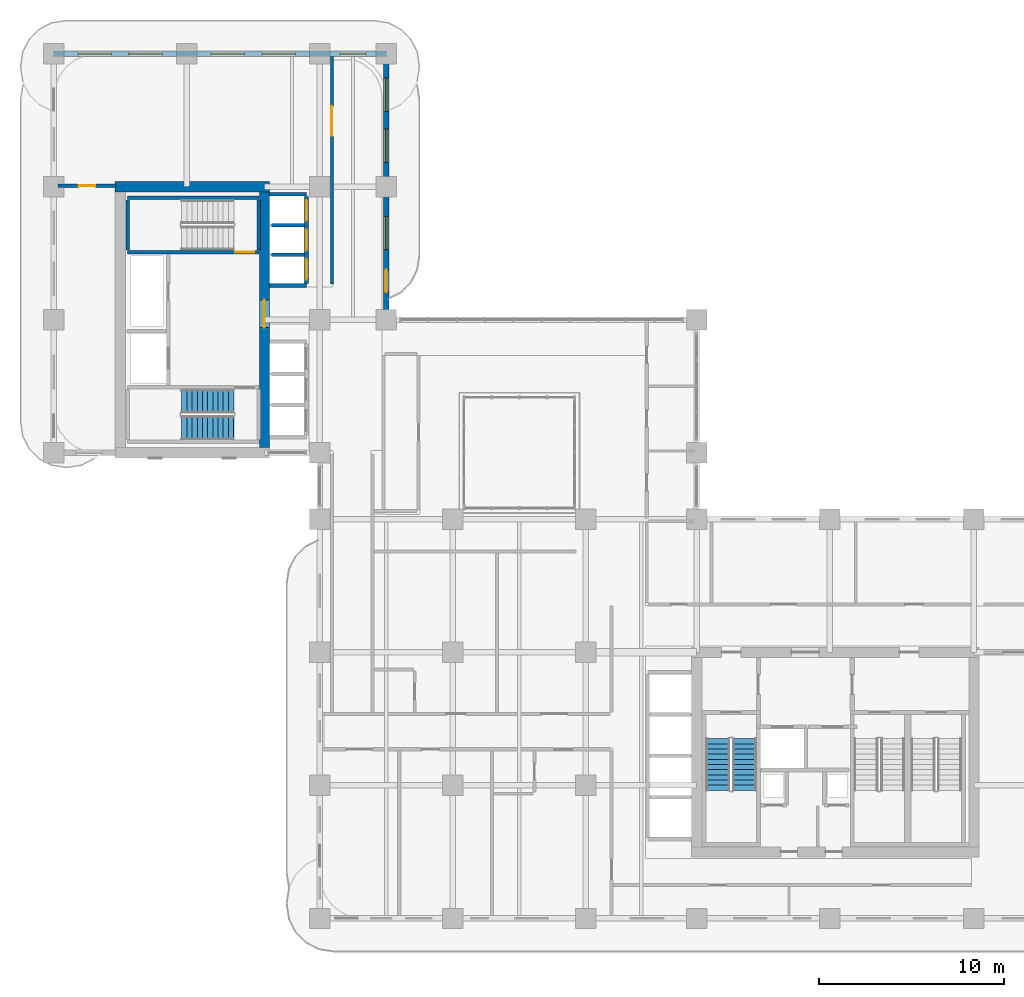
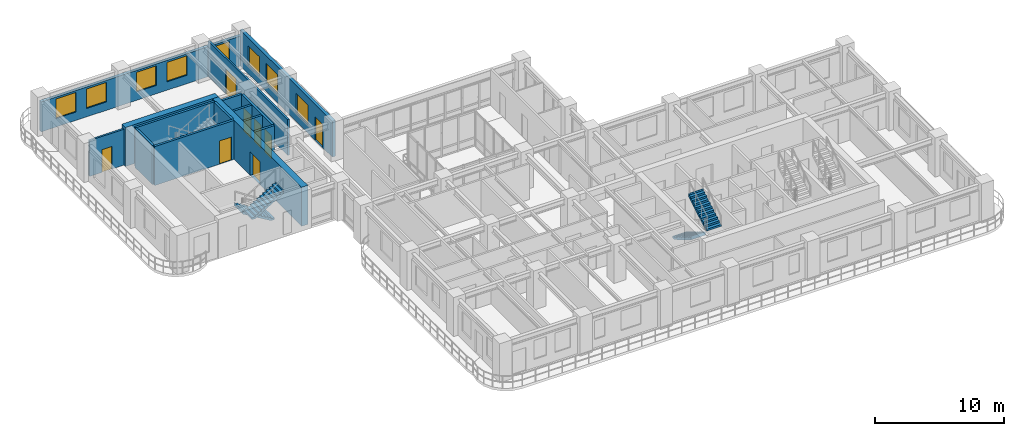
# One storey, part 13 of 19: 15 walls, 8 doors, 8 windows, 4 stair flights, 16 openings, 2 elements without a shape of their own.
"""IFC4 building model written with IfcOpenShell, lengths in metres."""

import ifcopenshell
import ifcopenshell.guid

model = None  # the IFC model being written
_history = None  # IfcOwnerHistory: only IFC2X3 demands one
_inside = {}  # id of a spatial element -> (the spatial element, [elements in it])
_under = {}  # id of a project, library or spatial element -> (it, [spatial elements below it])
_declared = {}  # id of a project -> (the project, [libraries it declares])
_typed = {}  # id of a type object -> (the type object, [elements of that type])
_made_of = {}  # id of a material, layer set ... -> (it, [elements and type objects made of it])


def new_model(schema):
    """Start an empty IFC model of exactly this schema.

    Asked for "IFC4X3", IfcOpenShell would pick the latest addendum, in which some entities
    have other attributes; the version numbers below select the first issue.
    IFC2X3 requires an IfcOwnerHistory on every rooted entity: one is made here for all.
    """
    global model, _history
    if schema == "IFC4X3":
        model = ifcopenshell.file(schema_version=(4, 3, 0, 0))
    else:
        model = ifcopenshell.file(schema=schema)
    _inside.clear()
    _under.clear()
    _declared.clear()
    _typed.clear()
    _made_of.clear()
    _history = None
    if model.schema == "IFC2X3":
        org = make("IfcOrganization", Name="unknown")
        user = make(
            "IfcPersonAndOrganization",
            ThePerson=make("IfcPerson", FamilyName="unknown"),
            TheOrganization=org,
        )
        app = make(
            "IfcApplication",
            ApplicationDeveloper=org,
            Version="unknown",
            ApplicationFullName="unknown",
            ApplicationIdentifier="unknown",
        )
        _history = make(
            "IfcOwnerHistory",
            OwningUser=user,
            OwningApplication=app,
            ChangeAction="ADDED",
            CreationDate=0,
        )
    return model


def make(cls, **values):
    """One entity of the class cls with the attributes given. An attribute that is None is left unset."""
    return model.create_entity(
        cls, **{name: value for name, value in values.items() if value is not None}
    )


def rooted(cls, **values):
    """An entity with a GlobalId (a new one), such as an element, a storey or a relation."""
    return make(cls, GlobalId=ifcopenshell.guid.new(), OwnerHistory=_history, **values)


def si_unit(unit_type, name, prefix=None):
    """IfcSIUnit, for example si_unit("LENGTHUNIT", "METRE", prefix="MILLI")."""
    return make("IfcSIUnit", UnitType=unit_type, Prefix=prefix, Name=name)


def derived_unit(unit_type, elements):
    """IfcDerivedUnit: a product of units, each with its exponent."""
    return make(
        "IfcDerivedUnit",
        Elements=[
            make("IfcDerivedUnitElement", Unit=unit, Exponent=power)
            for unit, power in elements
        ],
        UnitType=unit_type,
    )


def assignment(units):
    """IfcUnitAssignment: the units of a project."""
    return None if units is None else make("IfcUnitAssignment", Units=units)


def point(xyz):
    """IfcCartesianPoint."""
    return None if xyz is None else make("IfcCartesianPoint", Coordinates=xyz)


def direction(xyz):
    """IfcDirection."""
    return None if xyz is None else make("IfcDirection", DirectionRatios=xyz)


def frame(location, z_axis=None, x_axis=None):
    """IfcAxis2Placement3D, a coordinate frame: its origin and axes. An axis left out is left unset."""
    return make(
        "IfcAxis2Placement3D",
        Location=point(location),
        Axis=direction(z_axis),
        RefDirection=direction(x_axis),
    )


def frame_2d(location, x_axis=None):
    """IfcAxis2Placement2D, a coordinate frame in the plane: its origin and x axis."""
    return make(
        "IfcAxis2Placement2D", Location=point(location), RefDirection=direction(x_axis)
    )


def origin():
    """The frame at (0, 0, 0) with its axes left unset."""
    return frame((0.0, 0.0, 0.0))


def place(relative_to, where):
    """IfcLocalPlacement: puts the frame where relative to a parent placement (None: the world)."""
    return make(
        "IfcLocalPlacement", PlacementRelTo=relative_to, RelativePlacement=where
    )


def context(
    kind, dimensions, precision=None, world=None, true_north=None, identifier=None
):
    """IfcGeometricRepresentationContext, for example the 3D "Model" context."""
    return make(
        "IfcGeometricRepresentationContext",
        ContextIdentifier=identifier,
        ContextType=kind,
        CoordinateSpaceDimension=dimensions,
        Precision=precision,
        WorldCoordinateSystem=world,
        TrueNorth=true_north,
    )


def subcontext(parent, identifier, kind, view, scale=None):
    """IfcGeometricRepresentationSubContext, for example "Body" below "Model"."""
    return make(
        "IfcGeometricRepresentationSubContext",
        ContextIdentifier=identifier,
        ContextType=kind,
        ParentContext=parent,
        TargetScale=scale,
        TargetView=view,
    )


def project(units=None, contexts=None):
    """IfcProject with its units and contexts."""
    return rooted(
        "IfcProject",
        Name="project",
        RepresentationContexts=contexts,
        UnitsInContext=assignment(units),
    )


def spatial(cls, under=None, at=None, **own):
    """A site, building, storey or space (cls), placed at a placement, below another one or the project."""
    s = rooted(cls, ObjectPlacement=at, **own)
    if under is not None:
        _under.setdefault(under.id(), (under, []))[1].append(s)
    return s


def polyline(points):
    """IfcPolyline through the points."""
    return make("IfcPolyline", Points=[point(p) for p in points])


def profile(cls, at=None, kind="AREA", **sizes):
    """A parametric profile (cls). Its sizes go by their IFC names, for example OverallWidth=200.0."""
    return make(cls, ProfileType=kind, Position=at, **sizes)


def rectangle(**sizes):
    """IfcRectangleProfileDef."""
    return profile("IfcRectangleProfileDef", **sizes)


def outline(outer, holes=None, kind="AREA"):
    """IfcArbitraryClosedProfileDef: a profile drawn as a closed curve; with holes, ...WithVoids."""
    if holes is None:
        return make("IfcArbitraryClosedProfileDef", ProfileType=kind, OuterCurve=outer)
    return make(
        "IfcArbitraryProfileDefWithVoids",
        ProfileType=kind,
        OuterCurve=outer,
        InnerCurves=holes,
    )


def extrude(swept, where, along, depth):
    """IfcExtrudedAreaSolid: the profile swept, set in the frame where, extruded along a direction by depth."""
    return make(
        "IfcExtrudedAreaSolid",
        SweptArea=swept,
        Position=where,
        ExtrudedDirection=direction(along),
        Depth=depth,
    )


def shape(context_of_items, identifier, shape_type, items):
    """IfcShapeRepresentation: the items that make up one representation, for example the "Body"."""
    return make(
        "IfcShapeRepresentation",
        ContextOfItems=context_of_items,
        RepresentationIdentifier=identifier,
        RepresentationType=shape_type,
        Items=items,
    )


def source(mapping_origin, context_of_items, identifier, shape_type, items):
    """IfcRepresentationMap: a shape defined once, which mapped items show again and again."""
    return make(
        "IfcRepresentationMap",
        MappingOrigin=mapping_origin,
        MappedRepresentation=shape(context_of_items, identifier, shape_type, items),
    )


def transform(
    local_origin,
    x_axis=None,
    y_axis=None,
    z_axis=None,
    scale=None,
    scale2=None,
    scale3=None,
    uniform=True,
):
    """IfcCartesianTransformationOperator3D, or its non-uniform kind. x_axis, y_axis, z_axis: its Axis1, 2, 3."""
    if uniform:
        return make(
            "IfcCartesianTransformationOperator3D",
            Axis1=direction(x_axis),
            Axis2=direction(y_axis),
            LocalOrigin=point(local_origin),
            Scale=scale,
            Axis3=direction(z_axis),
        )
    return make(
        "IfcCartesianTransformationOperator3DnonUniform",
        Axis1=direction(x_axis),
        Axis2=direction(y_axis),
        LocalOrigin=point(local_origin),
        Scale=scale,
        Axis3=direction(z_axis),
        Scale2=scale2,
        Scale3=scale3,
    )


def mapped(mapping_source, mapping_target):
    """IfcMappedItem: shows the shape of a source again, moved by a transform."""
    return make(
        "IfcMappedItem", MappingSource=mapping_source, MappingTarget=mapping_target
    )


def material(Name=None, Category=None):
    """IfcMaterial."""
    return make("IfcMaterial", Name=Name, Category=Category)


def layer(
    of_material, thickness, ventilated=None, Name=None, Category=None, Priority=None
):
    """IfcMaterialLayer: one layer of a wall or slab, of a material (None: an air gap)."""
    return make(
        "IfcMaterialLayer",
        Material=of_material,
        LayerThickness=thickness,
        IsVentilated=ventilated,
        Name=Name,
        Category=Category,
        Priority=Priority,
    )


def layer_set(layers, Name=None):
    """IfcMaterialLayerSet."""
    return make("IfcMaterialLayerSet", MaterialLayers=layers, LayerSetName=Name)


def made_of(thing, what):
    """Note that an element or type object is made of a material, layer set ...; save() writes the relation."""
    if what is not None:
        _made_of.setdefault(what.id(), (what, []))[1].append(thing)
    return thing


def type_object(cls, material=None, **own):
    """A type object (cls), such as IfcWallType, which elements share."""
    return made_of(rooted(cls, **own), material)


def type_shapes(of_type, sources):
    """Give a type object the sources (RepresentationMaps) that its elements show as mapped items."""
    of_type.RepresentationMaps = sources


def element(
    cls,
    number,
    at=None,
    inside=None,
    cuts=None,
    type_object=None,
    material=None,
    context=None,
    identifier="Body",
    shape_type=None,
    held_by="IfcProductDefinitionShape",
    body=None,
    shapes=None,
    **own,
):
    """One element of the class cls, such as IfcWall. Its Tag is "e" and its number.

    at: its placement. inside: the storey or other place that contains it. cuts: it is an
    opening in that element (IfcRelVoidsElement). A single representation is given by context,
    identifier, shape_type and body (its items); several are given by shapes. held_by: the class
    of the entity that holds the representations. save() writes the other relations.
    """
    e = rooted(cls, Tag="e%d" % number, ObjectPlacement=at, **own)
    if body is not None:
        shapes = [shape(context, identifier, shape_type, body)]
    if shapes is not None:
        e.Representation = make(held_by, Representations=shapes)
    if inside is not None:
        _inside.setdefault(inside.id(), (inside, []))[1].append(e)
    if cuts is not None:
        rooted(
            "IfcRelVoidsElement", RelatingBuildingElement=cuts, RelatedOpeningElement=e
        )
    if type_object is not None:
        _typed.setdefault(type_object.id(), (type_object, []))[1].append(e)
    return made_of(e, material)


def fill(opening, filler):
    """IfcRelFillsElement: the door or window that sits in an opening."""
    return rooted(
        "IfcRelFillsElement",
        RelatingOpeningElement=opening,
        RelatedBuildingElement=filler,
    )


def aggregate(whole, parts):
    """IfcRelAggregates: a whole, such as a stair, and the parts it consists of."""
    return rooted("IfcRelAggregates", RelatingObject=whole, RelatedObjects=parts)


def save(model, path):
    """Write the relations noted so far, then the file.

    IfcRelAggregates (storeys below a building ...), IfcRelContainedInSpatialStructure (elements
    in a storey), IfcRelDefinesByType, IfcRelAssociatesMaterial and IfcRelDeclares: one each for
    every whole, place, type object, material and project.
    """
    for whole, parts in _under.values():
        aggregate(whole, parts)
    for where, things in _inside.values():
        rooted(
            "IfcRelContainedInSpatialStructure",
            RelatedElements=things,
            RelatingStructure=where,
        )
    for kind, things in _typed.values():
        rooted("IfcRelDefinesByType", RelatedObjects=things, RelatingType=kind)
    for what, things in _made_of.values():
        rooted("IfcRelAssociatesMaterial", RelatedObjects=things, RelatingMaterial=what)
    for by, libraries in _declared.values():
        rooted("IfcRelDeclares", RelatingContext=by, RelatedDefinitions=libraries)
    model.write(path)


model = new_model("IFC4")

# Units and contexts
model_context = context("Model", 3, precision=1e-05, world=origin(), true_north=direction((0.0, 1.0)))
body_context = subcontext(model_context, "Body", "Model", "MODEL_VIEW")
ifc_project = project(units=[si_unit("LENGTHUNIT", "METRE"), si_unit("AREAUNIT", "SQUARE_METRE"), si_unit("VOLUMEUNIT", "CUBIC_METRE"), si_unit("PLANEANGLEUNIT", "RADIAN"), si_unit("MASSUNIT", "GRAM", prefix="KILO"), si_unit("THERMODYNAMICTEMPERATUREUNIT", "KELVIN"), si_unit("POWERUNIT", "WATT"), derived_unit("THERMALTRANSMITTANCEUNIT", [(si_unit("POWERUNIT", "WATT"), 1), (si_unit("AREAUNIT", "SQUARE_METRE"), -1), (si_unit("THERMODYNAMICTEMPERATUREUNIT", "KELVIN"), -1)])], contexts=[model_context])

# Site, building, storey
site_placement = place(None, origin())
site = spatial("IfcSite", under=ifc_project, at=site_placement, CompositionType="ELEMENT")
building_placement = place(site_placement, origin())
building = spatial("IfcBuilding", under=site, at=building_placement, Name="Zahravan Archway Hotel and Residences", CompositionType="ELEMENT")
storey_placement = place(building_placement, frame((0.0, 0.0, 102.699951171875)))
storey = spatial("IfcBuildingStorey", under=building, at=storey_placement, Name="L25", CompositionType="ELEMENT", Elevation=102.699951171875)

# Wall
ifc_material_1 = material(Name="Concrete C70/85", Category="concrete")
ifc_layer_1 = layer(ifc_material_1, 0.550048828125, Name="Concrete C70/85", Category="concrete")
ifc_layer_set_1 = layer_set([ifc_layer_1], Name="Concrete C70/85")
wall_type_1 = type_object("IfcWallType", Name="CW-CORE-550", PredefinedType="SHEAR", material=ifc_layer_set_1)
wall_1_placement = place(storey_placement, frame((3.324951171875, 39.60009765625, 0.0), z_axis=(0.0, 0.0, 1.0), x_axis=(1.0, 0.0, 0.0)))
element("IfcWall", 1, at=wall_1_placement, inside=storey, type_object=wall_type_1, Name="L25 Core B Shear N Wall 550 mm", PredefinedType="SHEAR", context=body_context, shape_type="SweptSolid", body=[
    extrude(rectangle(XDim=8.35009765625, YDim=0.550048828125, at=frame_2d((4.175048828125, 0.0))), origin(), (0.0, 0.0, 1.0), 3.699951171875),
])

# Wall, opening, door
wall_2_placement = place(storey_placement, frame((11.39990234375, 25.47509765625, 0.0), z_axis=(0.0, 0.0, 1.0), x_axis=(0.0, 1.0, 0.0)))
wall_2 = element("IfcWall", 2, at=wall_2_placement, inside=storey, type_object=wall_type_1, Name="L25 Core B Shear E Wall 550 mm", PredefinedType="SHEAR", context=body_context, shape_type="SweptSolid", body=[
    extrude(rectangle(XDim=13.849853515625, YDim=0.550048828125, at=frame_2d((6.9248046875, 0.0))), origin(), (0.0, 0.0, 1.0), 3.699951171875),
])
opening_1_placement = place(wall_2_placement, frame((6.4951171875, 0.0, 0.0)))
opening_1 = element("IfcOpeningElement", 3, at=opening_1_placement, cuts=wall_2, Name="Opening FD-L1", PredefinedType="OPENING", context=body_context, shape_type="SweptSolid", body=[
    extrude(rectangle(XDim=1.5, YDim=2.199951171875, at=frame_2d((0.75, 1.10009765625))), frame((0.0, 0.28515625, 0.0), z_axis=(0.0, -1.0, 0.0), x_axis=(1.0, 0.0, 0.0)), (0.0, 0.0, 1.0), 0.570068359375),
])
ifc_material_2 = material(Name="Fire-Rated Painted Steel", Category="steel")
door_type_1 = type_object("IfcDoorType", Name="FD-LOBBY-1500", OperationType="DOUBLE_DOOR_SINGLE_SWING", PredefinedType="DOOR", material=ifc_material_2)
shared_shape_1 = source(origin(), body_context, "Body", "SweptSolid", [
    extrude(rectangle(XDim=1.5, YDim=2.199951171875, at=frame_2d((0.75, 1.10009765625))), frame((0.0, 0.02490234375, 0.0), z_axis=(0.0, -1.0, 0.0), x_axis=(1.0, 0.0, 0.0)), (0.0, 0.0, 1.0), 0.050048828125),
])
type_shapes(door_type_1, [shared_shape_1])
door_1_placement = place(opening_1_placement, origin())
door_1 = element("IfcDoor", 4, at=door_1_placement, inside=storey, type_object=door_type_1, Name="L25 Core B FSAE Lobby Door", OperationType="DOUBLE_DOOR_SINGLE_SWING", OverallHeight=2.199951171875, OverallWidth=1.5, PredefinedType="DOOR", context=body_context, shape_type="MappedRepresentation", body=[
    mapped(shared_shape_1, transform((0.0, 0.0, 0.0), scale=1.0)),
])
fill(opening_1, door_1)

# Wall, openings, windows
ifc_material_3 = material(Name="Honed Red-Ochre Sandstone & Insulated Block", Category="masonry")
ifc_layer_2 = layer(ifc_material_3, 0.280029296875, Name="Honed Red-Ochre Sandstone & Insulated Block", Category="masonry")
ifc_layer_set_2 = layer_set([ifc_layer_2], Name="Honed Red-Ochre Sandstone & Insulated Block")
wall_type_2 = type_object("IfcWallType", Name="EW-LOG-280", PredefinedType="SOLIDWALL", material=ifc_layer_set_2)
wall_3_placement = place(storey_placement, frame((0.0, 46.800048828125, 0.0), z_axis=(0.0, 0.0, 1.0), x_axis=(1.0, 0.0, 0.0)))
wall_3 = element("IfcWall", 5, at=wall_3_placement, inside=storey, type_object=wall_type_2, Name="L25 Exterior Sandstone Wall WB-N", PredefinedType="SOLIDWALL", context=body_context, shape_type="SweptSolid", body=[
    extrude(rectangle(XDim=18.0, YDim=0.280029296875, at=frame_2d((9.0, 0.0))), origin(), (0.0, 0.0, 1.0), 2.8349609375),
])
opening_2_placement = place(wall_3_placement, frame((1.324951171875, 0.0, 0.800048828125)))
opening_2 = element("IfcOpeningElement", 6, at=opening_2_placement, cuts=wall_3, Name="Opening W-02", PredefinedType="OPENING", context=body_context, shape_type="SweptSolid", body=[
    extrude(rectangle(XDim=1.800048828125, YDim=1.85009765625, at=frame_2d((0.89990234375, 0.925048828125))), frame((0.0, 0.14990234375, 0.0), z_axis=(0.0, -1.0, 0.0), x_axis=(1.0, 0.0, 0.0)), (0.0, 0.0, 1.0), 0.300048828125),
])
opening_3_placement = place(wall_3_placement, frame((4.074951171875, 0.0, 0.800048828125)))
opening_3 = element("IfcOpeningElement", 7, at=opening_3_placement, cuts=wall_3, Name="Opening W-02", PredefinedType="OPENING", context=body_context, shape_type="SweptSolid", body=[
    extrude(rectangle(XDim=1.800048828125, YDim=1.85009765625, at=frame_2d((0.89990234375, 0.925048828125))), frame((0.0, 0.14990234375, 0.0), z_axis=(0.0, -1.0, 0.0), x_axis=(1.0, 0.0, 0.0)), (0.0, 0.0, 1.0), 0.300048828125),
])
opening_4_placement = place(wall_3_placement, frame((8.52490234375, 0.0, 0.800048828125)))
opening_4 = element("IfcOpeningElement", 8, at=opening_4_placement, cuts=wall_3, Name="Opening W-02", PredefinedType="OPENING", context=body_context, shape_type="SweptSolid", body=[
    extrude(rectangle(XDim=1.800048828125, YDim=1.85009765625, at=frame_2d((0.89990234375, 0.925048828125))), frame((0.0, 0.14990234375, 0.0), z_axis=(0.0, -1.0, 0.0), x_axis=(1.0, 0.0, 0.0)), (0.0, 0.0, 1.0), 0.300048828125),
])
opening_5_placement = place(wall_3_placement, frame((11.27490234375, 0.0, 0.800048828125)))
opening_5 = element("IfcOpeningElement", 9, at=opening_5_placement, cuts=wall_3, Name="Opening W-02", PredefinedType="OPENING", context=body_context, shape_type="SweptSolid", body=[
    extrude(rectangle(XDim=1.800048828125, YDim=1.85009765625, at=frame_2d((0.89990234375, 0.925048828125))), frame((0.0, 0.14990234375, 0.0), z_axis=(0.0, -1.0, 0.0), x_axis=(1.0, 0.0, 0.0)), (0.0, 0.0, 1.0), 0.300048828125),
])
opening_6_placement = place(wall_3_placement, frame((15.5, 0.0, 0.800048828125)))
opening_6 = element("IfcOpeningElement", 10, at=opening_6_placement, cuts=wall_3, Name="Opening W-03", PredefinedType="OPENING", context=body_context, shape_type="SweptSolid", body=[
    extrude(rectangle(XDim=1.39990234375, YDim=1.85009765625, at=frame_2d((0.699951171875, 0.925048828125))), frame((0.0, 0.14990234375, 0.0), z_axis=(0.0, -1.0, 0.0), x_axis=(1.0, 0.0, 0.0)), (0.0, 0.0, 1.0), 0.300048828125),
])
ifc_material_4 = material(Name="Bronze-Anodized Thermal-Break Aluminium & Low-E Glass", Category="aluminium")
window_type_1 = type_object("IfcWindowType", Name="WIN-TWR-1400", PartitioningType="SINGLE_PANEL", PredefinedType="WINDOW", material=ifc_material_4)
shared_shape_2 = source(origin(), body_context, "Body", "SweptSolid", [
    extrude(rectangle(XDim=1.39990234375, YDim=1.85009765625, at=frame_2d((0.699951171875, 0.925048828125))), frame((0.0, 0.030029296875, 0.0), z_axis=(0.0, -1.0, 0.0), x_axis=(1.0, 0.0, 0.0)), (0.0, 0.0, 1.0), 0.06005859375),
])
type_shapes(window_type_1, [shared_shape_2])
window_1_placement = place(opening_6_placement, origin())
window_1 = element("IfcWindow", 11, at=window_1_placement, inside=storey, type_object=window_type_1, Name="L25 Loggia Window 38", OverallHeight=1.85009765625, OverallWidth=1.39990234375, PartitioningType="SINGLE_PANEL", PredefinedType="WINDOW", context=body_context, shape_type="MappedRepresentation", body=[
    mapped(shared_shape_2, transform((0.0, 0.0, 0.0), scale=1.0)),
])
fill(opening_6, window_1)
window_type_2 = type_object("IfcWindowType", Name="WIN-TWR-1800", PartitioningType="DOUBLE_PANEL_VERTICAL", PredefinedType="WINDOW", material=ifc_material_4)
shared_shape_3 = source(origin(), body_context, "Body", "SweptSolid", [
    extrude(rectangle(XDim=1.800048828125, YDim=1.85009765625, at=frame_2d((0.89990234375, 0.925048828125))), frame((0.0, 0.030029296875, 0.0), z_axis=(0.0, -1.0, 0.0), x_axis=(1.0, 0.0, 0.0)), (0.0, 0.0, 1.0), 0.06005859375),
])
type_shapes(window_type_2, [shared_shape_3])
window_2_placement = place(opening_2_placement, origin())
window_2 = element("IfcWindow", 12, at=window_2_placement, inside=storey, type_object=window_type_2, Name="L25 Loggia Window 34", OverallHeight=1.85009765625, OverallWidth=1.800048828125, PartitioningType="DOUBLE_PANEL_VERTICAL", PredefinedType="WINDOW", context=body_context, shape_type="MappedRepresentation", body=[
    mapped(shared_shape_3, transform((0.0, 0.0, 0.0), scale=1.0)),
])
fill(opening_2, window_2)
window_3_placement = place(opening_3_placement, origin())
window_3 = element("IfcWindow", 13, at=window_3_placement, inside=storey, type_object=window_type_2, Name="L25 Loggia Window 35", OverallHeight=1.85009765625, OverallWidth=1.800048828125, PartitioningType="DOUBLE_PANEL_VERTICAL", PredefinedType="WINDOW", context=body_context, shape_type="MappedRepresentation", body=[
    mapped(shared_shape_3, transform((0.0, 0.0, 0.0), scale=1.0)),
])
fill(opening_3, window_3)
window_4_placement = place(opening_4_placement, origin())
window_4 = element("IfcWindow", 14, at=window_4_placement, inside=storey, type_object=window_type_2, Name="L25 Loggia Window 36", OverallHeight=1.85009765625, OverallWidth=1.800048828125, PartitioningType="DOUBLE_PANEL_VERTICAL", PredefinedType="WINDOW", context=body_context, shape_type="MappedRepresentation", body=[
    mapped(shared_shape_3, transform((0.0, 0.0, 0.0), scale=1.0)),
])
fill(opening_4, window_4)
window_5_placement = place(opening_5_placement, origin())
window_5 = element("IfcWindow", 15, at=window_5_placement, inside=storey, type_object=window_type_2, Name="L25 Loggia Window 37", OverallHeight=1.85009765625, OverallWidth=1.800048828125, PartitioningType="DOUBLE_PANEL_VERTICAL", PredefinedType="WINDOW", context=body_context, shape_type="MappedRepresentation", body=[
    mapped(shared_shape_3, transform((0.0, 0.0, 0.0), scale=1.0)),
])
fill(opening_5, window_5)

# Wall, openings, door, windows
wall_4_placement = place(storey_placement, frame((18.0, 32.39990234375, 0.0), z_axis=(0.0, 0.0, 1.0), x_axis=(0.0, 1.0, 0.0)))
wall_4 = element("IfcWall", 16, at=wall_4_placement, inside=storey, type_object=wall_type_2, Name="L25 Exterior Sandstone Wall WB-EU", PredefinedType="SOLIDWALL", context=body_context, shape_type="SweptSolid", body=[
    extrude(rectangle(XDim=14.35009765625, YDim=0.280029296875, at=frame_2d((7.175048828125, 0.0))), origin(), (0.0, 0.0, 1.0), 3.400146484375),
])
opening_7_placement = place(wall_4_placement, frame((1.5, 0.0, 0.0)))
opening_7 = element("IfcOpeningElement", 17, at=opening_7_placement, cuts=wall_4, Name="Opening ED-BL1", PredefinedType="OPENING", context=body_context, shape_type="SweptSolid", body=[
    extrude(rectangle(XDim=1.199951171875, YDim=2.199951171875, at=frame_2d((0.60009765625, 1.10009765625))), frame((0.0, 0.14990234375, 0.0), z_axis=(0.0, -1.0, 0.0), x_axis=(1.0, 0.0, 0.0)), (0.0, 0.0, 1.0), 0.300048828125),
])
opening_8_placement = place(wall_4_placement, frame((3.800048828125, 0.0, 0.800048828125)))
opening_8 = element("IfcOpeningElement", 18, at=opening_8_placement, cuts=wall_4, Name="Opening W-02", PredefinedType="OPENING", context=body_context, shape_type="SweptSolid", body=[
    extrude(rectangle(XDim=1.800048828125, YDim=1.85009765625, at=frame_2d((0.89990234375, 0.925048828125))), frame((0.0, 0.14990234375, 0.0), z_axis=(0.0, -1.0, 0.0), x_axis=(1.0, 0.0, 0.0)), (0.0, 0.0, 1.0), 0.300048828125),
])
opening_9_placement = place(wall_4_placement, frame((8.52490234375, 0.0, 0.800048828125)))
opening_9 = element("IfcOpeningElement", 19, at=opening_9_placement, cuts=wall_4, Name="Opening W-02", PredefinedType="OPENING", context=body_context, shape_type="SweptSolid", body=[
    extrude(rectangle(XDim=1.800048828125, YDim=1.85009765625, at=frame_2d((0.89990234375, 0.925048828125))), frame((0.0, 0.14990234375, 0.0), z_axis=(0.0, -1.0, 0.0), x_axis=(1.0, 0.0, 0.0)), (0.0, 0.0, 1.0), 0.300048828125),
])
opening_10_placement = place(wall_4_placement, frame((11.27490234375, 0.0, 0.800048828125)))
opening_10 = element("IfcOpeningElement", 20, at=opening_10_placement, cuts=wall_4, Name="Opening W-02", PredefinedType="OPENING", context=body_context, shape_type="SweptSolid", body=[
    extrude(rectangle(XDim=1.800048828125, YDim=1.85009765625, at=frame_2d((0.89990234375, 0.925048828125))), frame((0.0, 0.14990234375, 0.0), z_axis=(0.0, -1.0, 0.0), x_axis=(1.0, 0.0, 0.0)), (0.0, 0.0, 1.0), 0.300048828125),
])
ifc_material_5 = material(Name="Bronze-Anodized Glazed Aluminium", Category="aluminium")
door_type_2 = type_object("IfcDoorType", Name="ED-BALC-1200", OperationType="SLIDING_TO_LEFT", PredefinedType="DOOR", material=ifc_material_5)
shared_shape_4 = source(origin(), body_context, "Body", "SweptSolid", [
    extrude(rectangle(XDim=1.199951171875, YDim=2.199951171875, at=frame_2d((0.60009765625, 1.10009765625))), frame((0.0, 0.02490234375, 0.0), z_axis=(0.0, -1.0, 0.0), x_axis=(1.0, 0.0, 0.0)), (0.0, 0.0, 1.0), 0.050048828125),
])
type_shapes(door_type_2, [shared_shape_4])
door_2_placement = place(opening_7_placement, origin())
door_2 = element("IfcDoor", 21, at=door_2_placement, inside=storey, type_object=door_type_2, Name="L25 Outdoor Access Sliding Door (SLB-BAL-L25-EB)", OperationType="SLIDING_TO_LEFT", OverallHeight=2.199951171875, OverallWidth=1.199951171875, PredefinedType="DOOR", context=body_context, shape_type="MappedRepresentation", body=[
    mapped(shared_shape_4, transform((0.0, 0.0, 0.0), scale=1.0)),
])
fill(opening_7, door_2)
window_6_placement = place(opening_8_placement, origin())
window_6 = element("IfcWindow", 22, at=window_6_placement, inside=storey, type_object=window_type_2, Name="L25 Loggia Window 39", OverallHeight=1.85009765625, OverallWidth=1.800048828125, PartitioningType="DOUBLE_PANEL_VERTICAL", PredefinedType="WINDOW", context=body_context, shape_type="MappedRepresentation", body=[
    mapped(shared_shape_3, transform((0.0, 0.0, 0.0), scale=1.0)),
])
fill(opening_8, window_6)
window_7_placement = place(opening_9_placement, origin())
window_7 = element("IfcWindow", 23, at=window_7_placement, inside=storey, type_object=window_type_2, Name="L25 Loggia Window 40", OverallHeight=1.85009765625, OverallWidth=1.800048828125, PartitioningType="DOUBLE_PANEL_VERTICAL", PredefinedType="WINDOW", context=body_context, shape_type="MappedRepresentation", body=[
    mapped(shared_shape_3, transform((0.0, 0.0, 0.0), scale=1.0)),
])
fill(opening_9, window_7)
window_8_placement = place(opening_10_placement, origin())
window_8 = element("IfcWindow", 24, at=window_8_placement, inside=storey, type_object=window_type_2, Name="L25 Loggia Window 41", OverallHeight=1.85009765625, OverallWidth=1.800048828125, PartitioningType="DOUBLE_PANEL_VERTICAL", PredefinedType="WINDOW", context=body_context, shape_type="MappedRepresentation", body=[
    mapped(shared_shape_3, transform((0.0, 0.0, 0.0), scale=1.0)),
])
fill(opening_10, window_8)

# Wall, opening, door
ifc_material_6 = material(Name="Fire-Rated Gypsum & Concrete Block", Category="concrete")
ifc_layer_3 = layer(ifc_material_6, 0.159912109375, Name="Fire-Rated Gypsum & Concrete Block", Category="concrete")
ifc_layer_set_3 = layer_set([ifc_layer_3], Name="Fire-Rated Gypsum & Concrete Block")
wall_type_3 = type_object("IfcWallType", Name="PW-CORR-160", PredefinedType="PARTITIONING", material=ifc_layer_set_3)
wall_5_placement = place(storey_placement, frame((15.050048828125, 34.340087890625, 0.0), z_axis=(0.0, 0.0, 1.0), x_axis=(0.0, 1.0, 0.0)))
wall_5 = element("IfcWall", 25, at=wall_5_placement, inside=storey, type_object=wall_type_3, Name="L25 Partition WBN-C", PredefinedType="PARTITIONING", context=body_context, shape_type="SweptSolid", body=[
    extrude(rectangle(XDim=12.31201171875, YDim=0.159912109375, at=frame_2d((6.156005859375, 0.0))), origin(), (0.0, 0.0, 1.0), 3.400146484375),
])
opening_11_placement = place(wall_5_placement, frame((8.010009765625, 0.0, 0.0)))
opening_11 = element("IfcOpeningElement", 26, at=opening_11_placement, cuts=wall_5, Name="Opening D-P2", PredefinedType="OPENING", context=body_context, shape_type="SweptSolid", body=[
    extrude(rectangle(XDim=1.60009765625, YDim=2.39990234375, at=frame_2d((0.800048828125, 1.199951171875))), frame((0.0, 0.08984375, 0.0), z_axis=(0.0, -1.0, 0.0), x_axis=(1.0, 0.0, 0.0)), (0.0, 0.0, 1.0), 0.179931640625),
])
door_type_3 = type_object("IfcDoorType", Name="ID-PUBLIC-1600", OperationType="DOUBLE_DOOR_SINGLE_SWING", PredefinedType="DOOR", material=ifc_material_5)
shared_shape_5 = source(origin(), body_context, "Body", "SweptSolid", [
    extrude(rectangle(XDim=1.60009765625, YDim=2.39990234375, at=frame_2d((0.800048828125, 1.199951171875))), frame((0.0, 0.02490234375, 0.0), z_axis=(0.0, -1.0, 0.0), x_axis=(1.0, 0.0, 0.0)), (0.0, 0.0, 1.0), 0.050048828125),
])
type_shapes(door_type_3, [shared_shape_5])
door_3_placement = place(opening_11_placement, origin())
door_3 = element("IfcDoor", 27, at=door_3_placement, inside=storey, type_object=door_type_3, Name="L25 North Wing Spa Salon Door", OperationType="DOUBLE_DOOR_SINGLE_SWING", OverallHeight=2.39990234375, OverallWidth=1.60009765625, PredefinedType="DOOR", context=body_context, shape_type="MappedRepresentation", body=[
    mapped(shared_shape_5, transform((0.0, 0.0, 0.0), scale=1.0)),
])
fill(opening_11, door_3)

# Walls
ifc_layer_4 = layer(ifc_material_6, 0.199951171875, Name="Fire-Rated Gypsum & Concrete Block", Category="concrete")
ifc_layer_set_4 = layer_set([ifc_layer_4], Name="Fire-Rated Gypsum & Concrete Block")
wall_type_4 = type_object("IfcWallType", Name="PW-SHAFT-200", PredefinedType="PARTITIONING", material=ifc_layer_set_4)
for number, where, z_axis, x_axis, name in (
    (28, (11.68505859375, 34.25, 0.0), (0.0, 0.0, 1.0), (1.0, 0.0, 0.0), "L25 Partition B2-S"),
    (29, (11.68505859375, 39.18994140625, 0.0), (0.0, 0.0, 1.0), (1.0, 0.0, 0.0), "L25 Partition B2-N"),
):
    element("IfcWall", number, at=place(storey_placement, frame(where, z_axis=z_axis, x_axis=x_axis)), inside=storey, type_object=wall_type_4, Name=name, PredefinedType="PARTITIONING", context=body_context, shape_type="SweptSolid", body=[
        extrude(rectangle(XDim=1.98486328125, YDim=0.199951171875, at=frame_2d((0.992431640625, 0.0))), origin(), (0.0, 0.0, 1.0), 3.400146484375),
    ])

# Wall, openings, doors
wall_6_placement = place(storey_placement, frame((13.679931640625, 34.360107421875, 0.0), z_axis=(0.0, 0.0, 1.0), x_axis=(0.0, 1.0, 0.0)))
wall_6 = element("IfcWall", 30, at=wall_6_placement, inside=storey, type_object=wall_type_4, Name="L25 Partition B2-E", PredefinedType="PARTITIONING", context=body_context, shape_type="SweptSolid", body=[
    extrude(rectangle(XDim=4.719970703125, YDim=0.199951171875, at=frame_2d((2.35986328125, 0.0))), origin(), (0.0, 0.0, 1.0), 3.400146484375),
])
opening_12_placement = place(wall_6_placement, frame((0.2099609375, 0.0, 0.0)))
opening_12 = element("IfcOpeningElement", 31, at=opening_12_placement, cuts=wall_6, Name="Opening LD", PredefinedType="OPENING", context=body_context, shape_type="SweptSolid", body=[
    extrude(rectangle(XDim=1.10009765625, YDim=2.199951171875, at=frame_2d((0.550048828125, 1.10009765625))), frame((0.0, 0.10986328125, 0.0), z_axis=(0.0, -1.0, 0.0), x_axis=(1.0, 0.0, 0.0)), (0.0, 0.0, 1.0), 0.219970703125),
])
opening_13_placement = place(wall_6_placement, frame((1.81005859375, 0.0, 0.0)))
opening_13 = element("IfcOpeningElement", 32, at=opening_13_placement, cuts=wall_6, Name="Opening LD", PredefinedType="OPENING", context=body_context, shape_type="SweptSolid", body=[
    extrude(rectangle(XDim=1.10009765625, YDim=2.199951171875, at=frame_2d((0.550048828125, 1.10009765625))), frame((0.0, 0.10986328125, 0.0), z_axis=(0.0, -1.0, 0.0), x_axis=(1.0, 0.0, 0.0)), (0.0, 0.0, 1.0), 0.219970703125),
])
opening_14_placement = place(wall_6_placement, frame((3.409912109375, 0.0, 0.0)))
opening_14 = element("IfcOpeningElement", 33, at=opening_14_placement, cuts=wall_6, Name="Opening LD", PredefinedType="OPENING", context=body_context, shape_type="SweptSolid", body=[
    extrude(rectangle(XDim=1.10009765625, YDim=2.199951171875, at=frame_2d((0.550048828125, 1.10009765625))), frame((0.0, 0.10986328125, 0.0), z_axis=(0.0, -1.0, 0.0), x_axis=(1.0, 0.0, 0.0)), (0.0, 0.0, 1.0), 0.219970703125),
])
ifc_material_7 = material(Name="Brushed Stainless Steel", Category="steel")
door_type_4 = type_object("IfcDoorType", Name="DR-LIFT-LD", OperationType="SLIDING_TO_LEFT", PredefinedType="DOOR", material=ifc_material_7)
shared_shape_6 = source(origin(), body_context, "Body", "SweptSolid", [
    extrude(rectangle(XDim=1.10009765625, YDim=2.199951171875, at=frame_2d((0.550048828125, 1.10009765625))), frame((0.0, 0.02490234375, 0.0), z_axis=(0.0, -1.0, 0.0), x_axis=(1.0, 0.0, 0.0)), (0.0, 0.0, 1.0), 0.050048828125),
])
type_shapes(door_type_4, [shared_shape_6])
door_4_placement = place(opening_12_placement, origin())
door_4 = element("IfcDoor", 34, at=door_4_placement, inside=storey, type_object=door_type_4, Name="L25 Lift LP-4 Sliding Landing Door", OperationType="SLIDING_TO_LEFT", OverallHeight=2.199951171875, OverallWidth=1.10009765625, PredefinedType="DOOR", context=body_context, shape_type="MappedRepresentation", body=[
    mapped(shared_shape_6, transform((0.0, 0.0, 0.0), scale=1.0)),
])
fill(opening_12, door_4)
door_5_placement = place(opening_13_placement, origin())
door_5 = element("IfcDoor", 35, at=door_5_placement, inside=storey, type_object=door_type_4, Name="L25 Lift LP-5 Sliding Landing Door", OperationType="SLIDING_TO_LEFT", OverallHeight=2.199951171875, OverallWidth=1.10009765625, PredefinedType="DOOR", context=body_context, shape_type="MappedRepresentation", body=[
    mapped(shared_shape_6, transform((0.0, 0.0, 0.0), scale=1.0)),
])
fill(opening_13, door_5)
door_6_placement = place(opening_14_placement, origin())
door_6 = element("IfcDoor", 36, at=door_6_placement, inside=storey, type_object=door_type_4, Name="L25 Lift LP-6 Sliding Landing Door", OperationType="SLIDING_TO_LEFT", OverallHeight=2.199951171875, OverallWidth=1.10009765625, PredefinedType="DOOR", context=body_context, shape_type="MappedRepresentation", body=[
    mapped(shared_shape_6, transform((0.0, 0.0, 0.0), scale=1.0)),
])
fill(opening_14, door_6)

# Walls
for number, where, z_axis, x_axis, name in (
    (37, (11.784912109375, 35.919921875, 0.0), (0.0, 0.0, 1.0), (1.0, 0.0, 0.0), "L25 Partition B2-D"),
    (38, (11.784912109375, 37.52001953125, 0.0), (0.0, 0.0, 1.0), (1.0, 0.0, 0.0), "L25 Partition B2-D"),
):
    element("IfcWall", number, at=place(storey_placement, frame(where, z_axis=z_axis, x_axis=x_axis)), inside=storey, type_object=wall_type_4, Name=name, PredefinedType="PARTITIONING", context=body_context, shape_type="SweptSolid", body=[
        extrude(rectangle(XDim=1.78515625, YDim=0.199951171875, at=frame_2d((0.892578125, 0.0))), origin(), (0.0, 0.0, 1.0), 3.400146484375),
    ])

# Wall, opening, door
ifc_material_8 = material(Name="Acoustic Stud Partition")
ifc_layer_5 = layer(ifc_material_8, 0.169921875, Name="Acoustic Stud Partition")
ifc_layer_set_5 = layer_set([ifc_layer_5], Name="Acoustic Stud Partition")
wall_type_5 = type_object("IfcWallType", Name="PW-UNIT-170", PredefinedType="PARTITIONING", material=ifc_layer_set_5)
wall_7_placement = place(storey_placement, frame((0.239990234375, 39.64990234375, 0.0), z_axis=(0.0, 0.0, 1.0), x_axis=(1.0, 0.0, 0.0)))
wall_7 = element("IfcWall", 39, at=wall_7_placement, inside=storey, type_object=wall_type_5, Name="L25 Partition WBW-N", PredefinedType="PARTITIONING", context=body_context, shape_type="SweptSolid", body=[
    extrude(rectangle(XDim=3.1201171875, YDim=0.169921875, at=frame_2d((1.56005859375, 0.0))), origin(), (0.0, 0.0, 1.0), 3.400146484375),
])
opening_15_placement = place(wall_7_placement, frame((1.110107421875, 0.0, 0.0)))
opening_15 = element("IfcOpeningElement", 40, at=opening_15_placement, cuts=wall_7, Name="Opening D-I2", PredefinedType="OPENING", context=body_context, shape_type="SweptSolid", body=[
    extrude(rectangle(XDim=0.89990234375, YDim=2.14990234375, at=frame_2d((0.449951171875, 1.074951171875))), frame((0.0, 0.094970703125, 0.0), z_axis=(0.0, -1.0, 0.0), x_axis=(1.0, 0.0, 0.0)), (0.0, 0.0, 1.0), 0.18994140625),
])
ifc_material_9 = material(Name="Hardwood Veneer Timber", Category="wood")
door_type_5 = type_object("IfcDoorType", Name="ID-INT-900", OperationType="NOTDEFINED", PredefinedType="DOOR", material=ifc_material_9)
shared_shape_7 = source(origin(), body_context, "Body", "SweptSolid", [
    extrude(rectangle(XDim=0.89990234375, YDim=2.14990234375, at=frame_2d((0.449951171875, 1.074951171875))), frame((0.0, 0.02490234375, 0.0), z_axis=(0.0, -1.0, 0.0), x_axis=(1.0, 0.0, 0.0)), (0.0, 0.0, 1.0), 0.050048828125),
])
type_shapes(door_type_5, [shared_shape_7])
door_7_placement = place(opening_15_placement, origin())
door_7 = element("IfcDoor", 41, at=door_7_placement, inside=storey, type_object=door_type_5, Name="L25 West Loggia Salon Door", OperationType="SINGLE_SWING_RIGHT", OverallHeight=2.14990234375, OverallWidth=0.89990234375, PredefinedType="DOOR", context=body_context, shape_type="MappedRepresentation", body=[
    mapped(shared_shape_7, transform((0.0, 0.0, 0.0), scale=1.0)),
])
fill(opening_15, door_7)

# Walls
ifc_material_10 = material(Name="Concrete C50/60", Category="concrete")
ifc_layer_6 = layer(ifc_material_10, 0.199951171875, Name="Concrete C50/60", Category="concrete")
ifc_layer_set_6 = layer_set([ifc_layer_6], Name="Concrete C50/60")
wall_type_6 = type_object("IfcWallType", Name="SW-STAIR-200", PredefinedType="SHEAR", material=ifc_layer_set_6)
wall_8_placement = place(storey_placement, frame((4.0, 39.0, 0.0), z_axis=(0.0, 0.0, 1.0), x_axis=(1.0, 0.0, 0.0)))
element("IfcWall", 42, at=wall_8_placement, inside=storey, type_object=wall_type_6, Name="L25 Stairwell RC Wall CB-SB2N", PredefinedType="SHEAR", context=body_context, shape_type="SweptSolid", body=[
    extrude(rectangle(XDim=7.10009765625, YDim=0.199951171875, at=frame_2d((3.550048828125, 0.0))), origin(), (0.0, 0.0, 1.0), 3.699951171875),
])
for number, where, z_axis, x_axis, name in (
    (43, (4.0, 36.179931640625, 0.0), (0.0, 0.0, 1.0), (0.0, 1.0, 0.0), "L25 Stairwell RC Wall CB-SB2W"),
    (44, (11.10009765625, 36.179931640625, 0.0), (0.0, 0.0, 1.0), (0.0, 1.0, 0.0), "L25 Stairwell RC Wall CB-SB2E"),
):
    element("IfcWall", number, at=place(storey_placement, frame(where, z_axis=z_axis, x_axis=x_axis)), inside=storey, type_object=wall_type_6, Name=name, PredefinedType="SHEAR", context=body_context, shape_type="SweptSolid", body=[
        extrude(rectangle(XDim=2.699951171875, YDim=0.199951171875, at=frame_2d((1.35009765625, 0.0))), origin(), (0.0, 0.0, 1.0), 3.699951171875),
    ])

# Wall, opening, door
wall_9_placement = place(storey_placement, frame((4.0, 36.06005859375, 0.0), z_axis=(0.0, 0.0, 1.0), x_axis=(1.0, 0.0, 0.0)))
wall_9 = element("IfcWall", 45, at=wall_9_placement, inside=storey, type_object=wall_type_6, Name="L25 Stairwell RC Wall CB-SB2S", PredefinedType="SHEAR", context=body_context, shape_type="SweptSolid", body=[
    extrude(rectangle(XDim=7.10009765625, YDim=0.199951171875, at=frame_2d((3.550048828125, 0.0))), origin(), (0.0, 0.0, 1.0), 3.699951171875),
])
opening_16_placement = place(wall_9_placement, frame((5.81494140625, 0.0, 0.0)))
opening_16 = element("IfcOpeningElement", 46, at=opening_16_placement, cuts=wall_9, Name="Opening FD-S1", PredefinedType="OPENING", context=body_context, shape_type="SweptSolid", body=[
    extrude(rectangle(XDim=1.050048828125, YDim=2.199951171875, at=frame_2d((0.52490234375, 1.10009765625))), frame((0.0, 0.10986328125, 0.0), z_axis=(0.0, -1.0, 0.0), x_axis=(1.0, 0.0, 0.0)), (0.0, 0.0, 1.0), 0.219970703125),
])
door_type_6 = type_object("IfcDoorType", Name="FD-STAIR-1100", OperationType="NOTDEFINED", PredefinedType="DOOR", material=ifc_material_2)
shared_shape_8 = source(origin(), body_context, "Body", "SweptSolid", [
    extrude(rectangle(XDim=1.050048828125, YDim=2.199951171875, at=frame_2d((0.52490234375, 1.10009765625))), frame((0.0, 0.02490234375, 0.0), z_axis=(0.0, -1.0, 0.0), x_axis=(1.0, 0.0, 0.0)), (0.0, 0.0, 1.0), 0.050048828125),
])
type_shapes(door_type_6, [shared_shape_8])
door_8_placement = place(opening_16_placement, origin())
door_8 = element("IfcDoor", 47, at=door_8_placement, inside=storey, type_object=door_type_6, Name="L25 Stair ST-B2 Door", OperationType="SINGLE_SWING_RIGHT", OverallHeight=2.199951171875, OverallWidth=1.050048828125, PredefinedType="DOOR", context=body_context, shape_type="MappedRepresentation", body=[
    mapped(shared_shape_8, transform((0.0, 0.0, 0.0), scale=1.0)),
])
fill(opening_16, door_8)

# Stair, stair flights
stair_type = type_object("IfcStairType", Name="STR-CORE-1300", PredefinedType="HALF_TURN_STAIR", material=ifc_material_10)
stair_1_placement = place(storey_placement, origin())
stair_1 = element("IfcStair", 48, at=stair_1_placement, inside=storey, type_object=stair_type, Name="L25 Core A Exit Stair 1", PredefinedType="HALF_TURN_STAIR")
ifc_layer_7 = layer(ifc_material_10, 0.199951171875, Name="Concrete C50/60", Category="concrete")
ifc_layer_set_7 = layer_set([ifc_layer_7], Name="Concrete C50/60")
stair_flight_type = type_object("IfcStairFlightType", Name="SFL-CORE-1300", PredefinedType="STRAIGHT", material=ifc_layer_set_7)
shared_shape_9 = source(origin(), body_context, "Body", "SweptSolid", [
    extrude(outline(polyline([(-0.01611328125, 0.0), (-0.01611328125, 0.168212890625), (0.280029296875, 0.168212890625), (0.280029296875, 0.33642578125), (0.56005859375, 0.33642578125), (0.56005859375, 0.504638671875), (0.840087890625, 0.504638671875), (0.840087890625, 0.672607421875), (1.1201171875, 0.672607421875), (1.1201171875, 0.8408203125), (1.39990234375, 0.8408203125), (1.39990234375, 1.009033203125), (1.679931640625, 1.009033203125), (1.679931640625, 1.17724609375), (1.9599609375, 1.17724609375), (1.9599609375, 1.345458984375), (2.239990234375, 1.345458984375), (2.239990234375, 1.513671875), (2.52001953125, 1.513671875), (2.52001953125, 1.681884765625), (2.800048828125, 1.681884765625), (2.800048828125, 1.85009765625), (2.816162109375, 1.85009765625), (2.816162109375, 1.5068359375), (0.291015625, 0.0), (-0.01611328125, 0.0)])), frame((0.0, 0.64990234375, 0.0), z_axis=(0.0, -1.0, 0.0), x_axis=(1.0, 0.0, 0.0)), (0.0, 0.0, 1.0), 1.300048828125),
])
stair_flight_1_placement = place(storey_placement, frame((35.949951171875, 9.72998046875, 0.0), z_axis=(0.0, 0.0, 1.0), x_axis=(0.0, -1.0, 0.0)))
stair_flight_1 = element("IfcStairFlight", 49, at=stair_flight_1_placement, type_object=stair_flight_type, Name="ST-A1 flight 1", NumberOfRisers=11, NumberOfTreads=10, PredefinedType="STRAIGHT", RiserHeight=0.168181818, TreadLength=0.28, context=body_context, shape_type="MappedRepresentation", body=[
    mapped(shared_shape_9, transform((0.0, 0.0, 0.0), scale=1.0)),
])
stair_flight_2_placement = place(storey_placement, frame((37.389892578125, 6.929931640625, 1.85009765625), z_axis=(0.0, 0.0, 1.0), x_axis=(0.0, 1.0, 0.0)))
stair_flight_2 = element("IfcStairFlight", 50, at=stair_flight_2_placement, type_object=stair_flight_type, Name="ST-A1 flight 2", NumberOfRisers=11, NumberOfTreads=10, PredefinedType="STRAIGHT", RiserHeight=0.168181818, TreadLength=0.28, context=body_context, shape_type="MappedRepresentation", body=[
    mapped(shared_shape_9, transform((0.0, 0.0, 0.0), scale=1.0)),
])
aggregate(stair_1, [stair_flight_1, stair_flight_2])

stair_2_placement = place(storey_placement, origin())
stair_2 = element("IfcStair", 51, at=stair_2_placement, inside=storey, type_object=stair_type, Name="L25 Core B Exit Stair 1", PredefinedType="HALF_TURN_STAIR")
stair_flight_3_placement = place(storey_placement, frame((9.72998046875, 27.989990234375, 0.0), z_axis=(0.0, 0.0, 1.0), x_axis=(-1.0, 0.0, 0.0)))
stair_flight_3 = element("IfcStairFlight", 52, at=stair_flight_3_placement, type_object=stair_flight_type, Name="ST-B1 flight 1", NumberOfRisers=11, NumberOfTreads=10, PredefinedType="STRAIGHT", RiserHeight=0.168181818, TreadLength=0.28, context=body_context, shape_type="MappedRepresentation", body=[
    mapped(shared_shape_9, transform((0.0, 0.0, 0.0), scale=1.0)),
])
stair_flight_4_placement = place(storey_placement, frame((6.929931640625, 26.550048828125, 1.85009765625), z_axis=(0.0, 0.0, 1.0), x_axis=(1.0, 0.0, 0.0)))
stair_flight_4 = element("IfcStairFlight", 53, at=stair_flight_4_placement, type_object=stair_flight_type, Name="ST-B1 flight 2", NumberOfRisers=11, NumberOfTreads=10, PredefinedType="STRAIGHT", RiserHeight=0.168181818, TreadLength=0.28, context=body_context, shape_type="MappedRepresentation", body=[
    mapped(shared_shape_9, transform((0.0, 0.0, 0.0), scale=1.0)),
])
aggregate(stair_2, [stair_flight_3, stair_flight_4])

save(model, "model.ifc")
